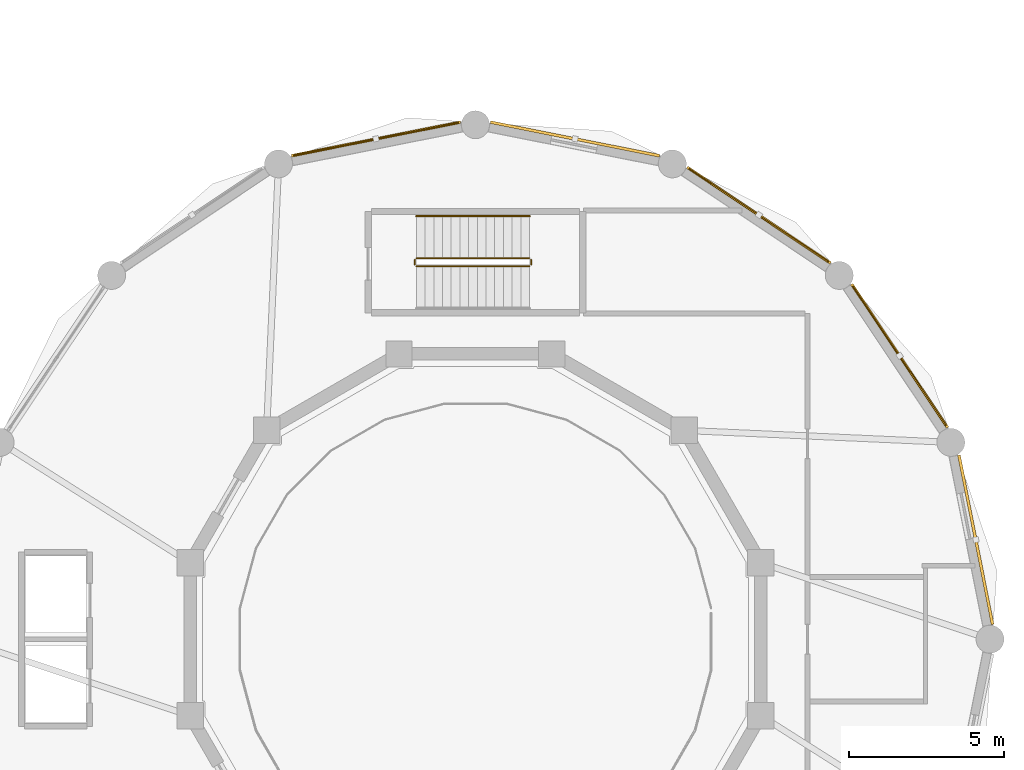
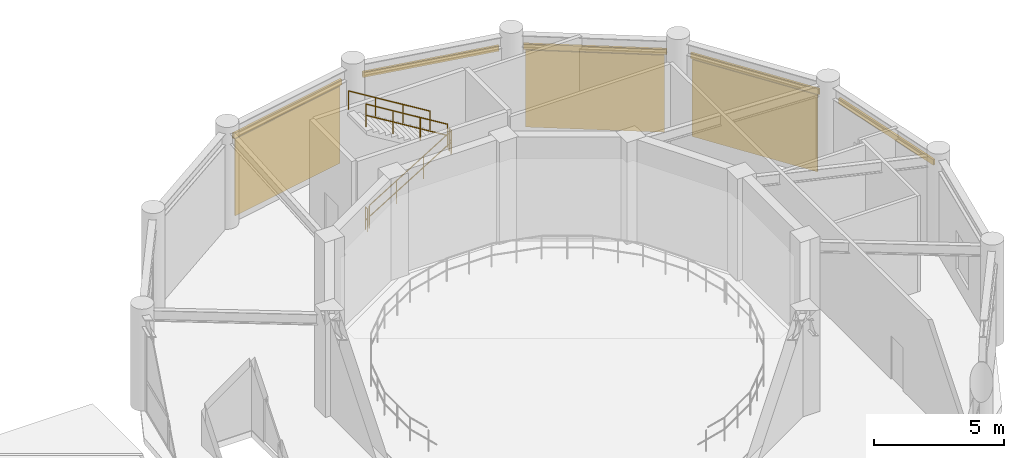
# One storey, part 33 of 34: 5 railings, 5 shading devices, 3 coverings.
"""IFC4 building model written with IfcOpenShell, lengths in metres."""

from ifc_helpers import new_model, si_unit, derived_unit, direction, frame, origin, origin_2d, place, context, subcontext, project, spatial, polyline, hollow_rectangle, circle, outline, extrude, source, transform, mapped, material, layer, layer_set, material_profile, profile_set, type_object, element, save


model = new_model("IFC4")

# Units and contexts
model_context = context("Model", 3, precision=1e-05, world=origin(), true_north=direction((0.0, 1.0)))
body_context = subcontext(model_context, "Body", "Model", "MODEL_VIEW")
ifc_project = project(units=[si_unit("LENGTHUNIT", "METRE"), si_unit("AREAUNIT", "SQUARE_METRE"), si_unit("VOLUMEUNIT", "CUBIC_METRE"), si_unit("PLANEANGLEUNIT", "RADIAN"), si_unit("MASSUNIT", "GRAM", prefix="KILO"), derived_unit("THERMALTRANSMITTANCEUNIT", [(si_unit("POWERUNIT", "WATT"), 1), (si_unit("LENGTHUNIT", "METRE"), -2), (si_unit("THERMODYNAMICTEMPERATUREUNIT", "KELVIN"), -1)])], contexts=[model_context])

# Site, building, storey
site_placement = place(None, origin())
site = spatial("IfcSite", under=ifc_project, at=site_placement, CompositionType="ELEMENT")
building_placement = place(site_placement, origin())
building = spatial("IfcBuilding", under=site, at=building_placement, Name="Korsvarv Bourse and Concert Hall", CompositionType="ELEMENT")
storey_placement = place(building_placement, frame((0.0, 0.0, 14.39990234375)))
storey = spatial("IfcBuildingStorey", under=building, at=storey_placement, Name="L03", CompositionType="ELEMENT", Elevation=14.39990234375)

# Coverings
ifc_material_1 = material(Name="Warm iron-oxide extruded terracotta rainscreen tile", Category="ceramic")
ifc_layer = layer(ifc_material_1, 0.044921875)
ifc_layer_set = layer_set([ifc_layer], Name="Warm iron-oxide extruded terracotta rainscreen tile")
covering_type = type_object("IfcCoveringType", Name="COV-CLD-TC", PredefinedType="CLADDING", material=ifc_layer_set)
covering_1_placement = place(storey_placement, origin())
element("IfcCovering", 1, at=covering_1_placement, inside=storey, type_object=covering_type, Name="L03 fluted terracotta cladding panel EW-L03-CHD02", PredefinedType="CLADDING", context=body_context, shape_type="SweptSolid", body=[
    extrude(outline(polyline([(121.9052734375, 42.853271484375), (118.912109375, 47.332763671875), (118.949462890625, 47.35791015625), (121.942626953125, 42.878173828125), (121.9052734375, 42.853271484375)])), origin(), (0.0, 0.0, 1.0), 3.630126953125),
])
covering_2_placement = place(storey_placement, origin())
element("IfcCovering", 2, at=covering_2_placement, inside=storey, type_object=covering_type, Name="L03 fluted terracotta cladding panel EW-L03-CHD03", PredefinedType="CLADDING", context=body_context, shape_type="SweptSolid", body=[
    extrude(outline(polyline([(118.1328125, 48.112060546875), (113.6533203125, 51.105224609375), (113.67822265625, 51.142578125), (118.15771484375, 48.1494140625), (118.1328125, 48.112060546875)])), origin(), (0.0, 0.0, 1.0), 3.630126953125),
])
covering_3_placement = place(storey_placement, origin())
element("IfcCovering", 3, at=covering_3_placement, inside=storey, type_object=covering_type, Name="L03 fluted terracotta cladding panel EW-L03-CHD05", PredefinedType="CLADDING", context=body_context, shape_type="SweptSolid", body=[
    extrude(outline(polyline([(106.248779296875, 52.577880859375), (100.965087890625, 51.527099609375), (100.956298828125, 51.571044921875), (106.239990234375, 52.6220703125), (106.248779296875, 52.577880859375)])), origin(), (0.0, 0.0, 1.0), 3.630126953125),
])

# Railings
ifc_material_2 = material(Name="Painted Steel S355 stair well guardrail", Category="steel")
railing_type_1 = type_object("IfcRailingType", Name="RL-ST-GRD", PredefinedType="GUARDRAIL", material=ifc_material_2)
railing_1_placement = place(storey_placement, frame((104.89990234375, 48.0, 0.171630859375)))
element("IfcRailing", 4, at=railing_1_placement, inside=storey, type_object=railing_type_1, Name="L03 ST-CH1 stair guard 1", PredefinedType="GUARDRAIL", context=body_context, shape_type="SweptSolid", body=[
    extrude(circle(Radius=0.02392578125, at=origin_2d()), frame((0.0, 0.0, 1.076171875), z_axis=(0.852865859571, 0.0, 0.52213008492), x_axis=(0.0, 1.0, 0.0)), (0.0, 0.0, 1.0), 4.26806640625),
    extrude(circle(Radius=0.02392578125, at=origin_2d()), frame((0.0, 0.0, 0.550048828125), z_axis=(0.852865859571, 0.0, 0.52213008492), x_axis=(0.0, 1.0, 0.0)), (0.0, 0.0, 1.0), 4.26806640625),
    extrude(circle(Radius=0.02099609375, at=origin_2d()), origin(), (0.0, 0.0, 1.0), 1.052001953125),
    extrude(circle(Radius=0.02099609375, at=origin_2d()), frame((1.21337890625, 0.0, 0.742919921875)), (0.0, 0.0, 1.0), 1.052001953125),
    extrude(circle(Radius=0.02099609375, at=origin_2d()), frame((2.4267578125, 0.0, 1.485595703125)), (0.0, 0.0, 1.0), 1.052001953125),
    extrude(circle(Radius=0.02099609375, at=origin_2d()), frame((3.64013671875, 0.0, 2.228515625)), (0.0, 0.0, 1.0), 1.052001953125),
])
railing_2_placement = place(storey_placement, frame((108.590087890625, 48.050048828125, 2.400146484375)))
element("IfcRailing", 5, at=railing_2_placement, inside=storey, type_object=railing_type_1, Name="L03 ST-CH1 stair guard 2", PredefinedType="GUARDRAIL", context=body_context, shape_type="SweptSolid", body=[
    extrude(circle(Radius=0.02392578125, at=origin_2d()), frame((0.0, 0.0, 1.076171875), z_axis=(0.0, 1.0, 0.0), x_axis=(-1.0, 0.0, 0.0)), (0.0, 0.0, 1.0), 0.159912109375),
    extrude(circle(Radius=0.02392578125, at=origin_2d()), frame((0.0, 0.0, 0.550048828125), z_axis=(0.0, 1.0, 0.0), x_axis=(-1.0, 0.0, 0.0)), (0.0, 0.0, 1.0), 0.159912109375),
    extrude(circle(Radius=0.02099609375, at=origin_2d()), origin(), (0.0, 0.0, 1.0), 1.052001953125),
    extrude(circle(Radius=0.02099609375, at=origin_2d()), frame((0.0, 0.159912109375, 0.0)), (0.0, 0.0, 1.0), 1.052001953125),
])
railing_3_placement = place(storey_placement, frame((108.5400390625, 48.260009765625, 2.571533203125)))
element("IfcRailing", 6, at=railing_3_placement, inside=storey, type_object=railing_type_1, Name="L03 ST-CH1 stair guard 3", PredefinedType="GUARDRAIL", context=body_context, shape_type="SweptSolid", body=[
    extrude(circle(Radius=0.02392578125, at=origin_2d()), frame((0.0, 0.0, 1.076171875), z_axis=(-0.852865859571, 0.0, 0.52213008492), x_axis=(0.0, -1.0, 0.0)), (0.0, 0.0, 1.0), 4.26806640625),
    extrude(circle(Radius=0.02392578125, at=origin_2d()), frame((0.0, 0.0, 0.550048828125), z_axis=(-0.852865859571, 0.0, 0.52213008492), x_axis=(0.0, -1.0, 0.0)), (0.0, 0.0, 1.0), 4.26806640625),
    extrude(circle(Radius=0.02099609375, at=origin_2d()), origin(), (0.0, 0.0, 1.0), 1.052001953125),
    extrude(circle(Radius=0.02099609375, at=origin_2d()), frame((-1.21337890625, 0.0, 0.742919921875)), (0.0, 0.0, 1.0), 1.052001953125),
    extrude(circle(Radius=0.02099609375, at=origin_2d()), frame((-2.4267578125, 0.0, 1.485595703125)), (0.0, 0.0, 1.0), 1.052001953125),
    extrude(circle(Radius=0.02099609375, at=origin_2d()), frame((-3.64013671875, 0.0, 2.228515625)), (0.0, 0.0, 1.0), 1.052001953125),
])
railing_4_placement = place(storey_placement, frame((104.85009765625, 48.050048828125, 0.0)))
element("IfcRailing", 7, at=railing_4_placement, inside=storey, type_object=railing_type_1, Name="L03 ST-CH1 stair guard 4", PredefinedType="GUARDRAIL", context=body_context, shape_type="SweptSolid", body=[
    extrude(circle(Radius=0.02392578125, at=origin_2d()), frame((0.0, 0.0, 1.076171875), z_axis=(0.0, 1.0, 0.0), x_axis=(-1.0, 0.0, 0.0)), (0.0, 0.0, 1.0), 0.159912109375),
    extrude(circle(Radius=0.02392578125, at=origin_2d()), frame((0.0, 0.0, 0.550048828125), z_axis=(0.0, 1.0, 0.0), x_axis=(-1.0, 0.0, 0.0)), (0.0, 0.0, 1.0), 0.159912109375),
    extrude(circle(Radius=0.02099609375, at=origin_2d()), origin(), (0.0, 0.0, 1.0), 1.052001953125),
    extrude(circle(Radius=0.02099609375, at=origin_2d()), frame((0.0, 0.159912109375, 0.0)), (0.0, 0.0, 1.0), 1.052001953125),
])
ifc_material_3 = material(Name="Brushed stainless Steel S355 tubular handrail", Category="steel")
railing_type_2 = type_object("IfcRailingType", Name="RL-ST-HND", PredefinedType="HANDRAIL", material=ifc_material_3)
railing_5_placement = place(storey_placement, frame((108.5400390625, 49.610107421875, 2.571533203125)))
element("IfcRailing", 8, at=railing_5_placement, inside=storey, type_object=railing_type_2, Name="L03 ST-CH1 stair handrail 2", PredefinedType="HANDRAIL", context=body_context, shape_type="SweptSolid", body=[
    extrude(circle(Radius=0.02392578125, at=origin_2d()), frame((0.0, 0.0, 0.8759765625), z_axis=(-0.852865859571, 0.0, 0.52213008492), x_axis=(0.0, -1.0, 0.0)), (0.0, 0.0, 1.0), 4.26806640625),
    extrude(circle(Radius=0.02099609375, at=origin_2d()), origin(), (0.0, 0.0, 1.0), 0.851806640625),
    extrude(circle(Radius=0.02099609375, at=origin_2d()), frame((-1.21337890625, 0.0, 0.742919921875)), (0.0, 0.0, 1.0), 0.851806640625),
    extrude(circle(Radius=0.02099609375, at=origin_2d()), frame((-2.4267578125, 0.0, 1.485595703125)), (0.0, 0.0, 1.0), 0.851806640625),
    extrude(circle(Radius=0.02099609375, at=origin_2d()), frame((-3.64013671875, 0.0, 2.228515625)), (0.0, 0.0, 1.0), 0.851806640625),
])

# Shading devices
ifc_material_4 = material(Name="Glazed extruded architectural terracotta", Category="ceramic")
ifc_material_profile = material_profile(ifc_material_4, hollow_rectangle(XDim=0.090087890625, YDim=0.260009765625, WallThickness=0.011962890625, at=origin_2d()), Name="TC-BAG 90x260")
ifc_profile_set = profile_set([ifc_material_profile], Name="Glazed extruded architectural terracotta")
shading_device_type = type_object("IfcShadingDeviceType", Name="SHD-BAG-1", PredefinedType="USERDEFINED", material=ifc_profile_set)
shared_shape = source(origin(), body_context, "Body", "SweptSolid", [
    extrude(hollow_rectangle(XDim=0.090087890625, YDim=0.260009765625, WallThickness=0.011962890625, at=origin_2d()), origin(), (0.0, 0.0, 1.0), 5.54736328125),
])
for number, where, z_axis, x_axis, name in (
    (9, (123.432861328125, 36.48046875, 3.7900390625), (-0.195100393406, 0.980783277025, 0.0), (-0.980783277025, -0.195100393406, 0.0), "L03 terracotta baguette sunshade EW-L03-CHD01"),
    (10, (121.98291015625, 42.808837890625, 3.7900390625), (-0.555573305798, 0.831467559129, 0.0), (-0.831467559129, -0.555573305798, 0.0), "L03 terracotta baguette sunshade EW-L03-CHD02"),
    (11, (118.221435546875, 48.100830078125, 3.7900390625), (-0.831467559129, 0.555573305798, 0.0), (-0.555573305798, -0.831467559129, 0.0), "L03 terracotta baguette sunshade EW-L03-CHD03"),
    (12, (112.72119140625, 51.550537109375, 3.7900390625), (-0.980783277025, 0.195100393406, 0.0), (-0.195100393406, -0.980783277025, 0.0), "L03 terracotta baguette sunshade EW-L03-CHD04"),
    (13, (106.319580078125, 52.6328125, 3.7900390625), (-0.980783277025, -0.195100393406, 0.0), (0.195100393406, -0.980783277025, 0.0), "L03 terracotta baguette sunshade EW-L03-CHD05"),
):
    element("IfcShadingDevice", number, at=place(storey_placement, frame(where, z_axis=z_axis, x_axis=x_axis)), inside=storey, type_object=shading_device_type, Name=name, ObjectType="BAGUETTE", PredefinedType="USERDEFINED", context=body_context, shape_type="MappedRepresentation", body=[
        mapped(shared_shape, transform((0.0, 0.0, 0.0), scale=1.0)),
    ])

save(model, "model.ifc")
